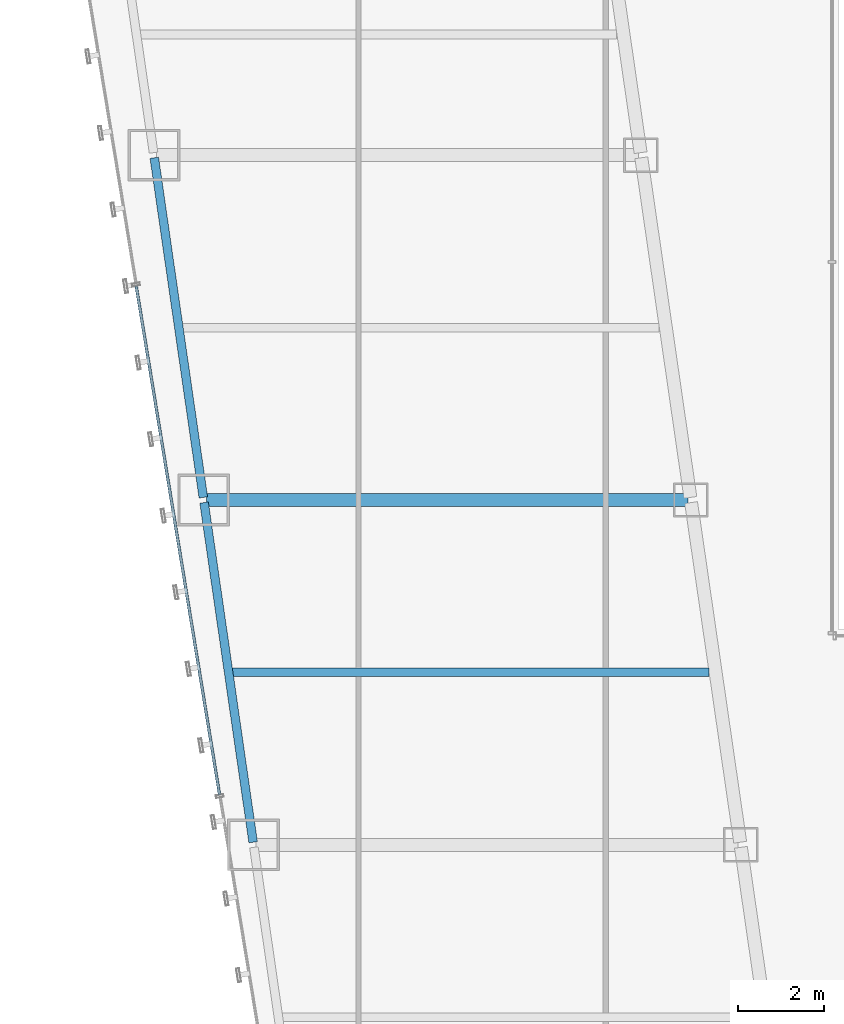
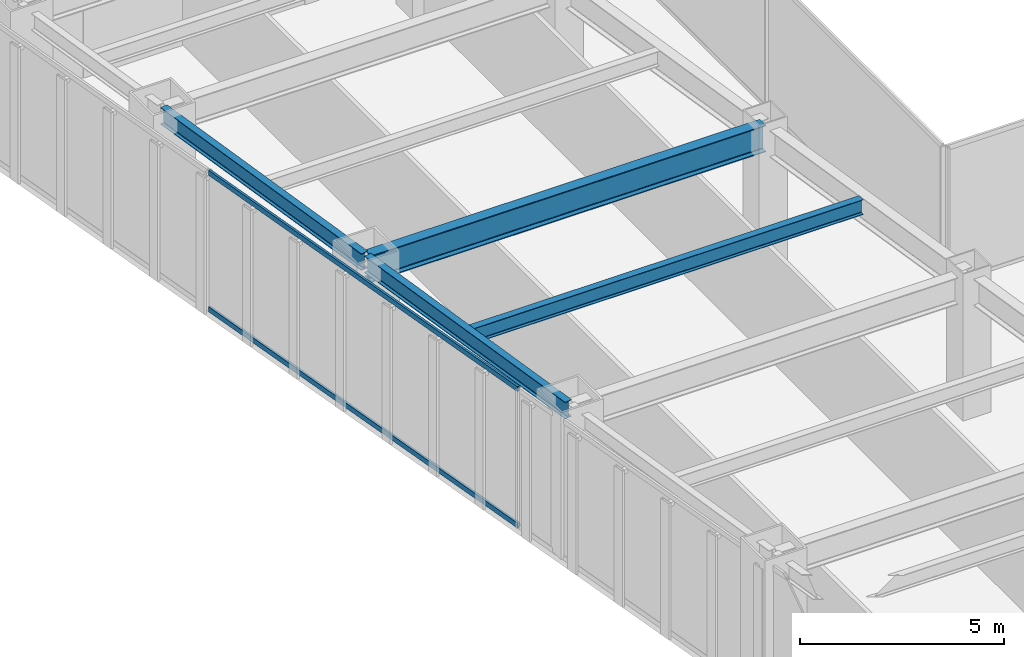
# One storey, part 10 of 47: 4 beams, 2 members, 1 element without a shape of its own.
"""IFC4 building model written with IfcOpenShell, lengths in metres."""

from ifc_helpers import new_model, si_unit, direction, frame, origin, origin_2d, place, context, subcontext, project, spatial, hollow_rectangle, i_section, extrude, material, material_profile, profile_set, type_object, element, aggregate, save


model = new_model("IFC4")

# Units and contexts
model_context = context("Model", 3, precision=1e-05, world=origin(), true_north=direction((0.0, 1.0)))
body_context = subcontext(model_context, "Body", "Model", "MODEL_VIEW")
ifc_project = project(units=[si_unit("LENGTHUNIT", "METRE"), si_unit("AREAUNIT", "SQUARE_METRE"), si_unit("VOLUMEUNIT", "CUBIC_METRE"), si_unit("PLANEANGLEUNIT", "RADIAN"), si_unit("MASSUNIT", "GRAM", prefix="KILO")], contexts=[model_context])

# Site, building, storey
site_placement = place(None, origin())
site = spatial("IfcSite", under=ifc_project, at=site_placement, CompositionType="ELEMENT")
building_placement = place(site_placement, origin())
building = spatial("IfcBuilding", under=site, at=building_placement, Name="Saevonmaru Cultural Tower", CompositionType="ELEMENT")
storey_placement = place(building_placement, frame((0.0, 0.0, 47.199951171875)))
storey = spatial("IfcBuildingStorey", under=building, at=storey_placement, Name="L09", CompositionType="ELEMENT", Elevation=47.199951171875)

# Beams
ifc_material_1 = material(Name="Steel SM420", Category="steel")
ifc_material_profile_1 = material_profile(ifc_material_1, i_section(OverallWidth=0.300048828125, OverallDepth=0.800048828125, WebThickness=0.013916015625, FlangeThickness=0.02587890625, FilletRadius=0.028076171875, at=origin_2d()), Name="H-800x300x14x26")
ifc_profile_set_1 = profile_set([ifc_material_profile_1], Name="Steel SM420")
beam_type_1 = type_object("IfcBeamType", Name="BM-G-H800", PredefinedType="BEAM", material=ifc_profile_set_1)
beam_1_placement = place(storey_placement, frame((9.531982421875, 24.0, 3.75), z_axis=(1.0, 0.0, 0.0), x_axis=(0.0, 1.0, 0.0)))
element("IfcBeam", 1, at=beam_1_placement, inside=storey, type_object=beam_type_1, Name="L09 West Wing Transverse Girder 4", PredefinedType="BEAM", context=body_context, shape_type="SweptSolid", body=[
    extrude(i_section(OverallWidth=0.300048828125, OverallDepth=0.800048828125, WebThickness=0.013916015625, FlangeThickness=0.02587890625, FilletRadius=0.028076171875, at=origin_2d()), origin(), (0.0, 0.0, 1.0), 11.179931640625),
])
ifc_material_2 = material(Name="Steel SM355", Category="steel")
ifc_material_profile_2 = material_profile(ifc_material_2, i_section(OverallWidth=0.199951171875, OverallDepth=0.449951171875, WebThickness=0.009033203125, FlangeThickness=0.013916015625, FilletRadius=0.01806640625, at=origin_2d()), Name="H-450x200x9x14")
ifc_profile_set_2 = profile_set([ifc_material_profile_2], Name="Steel SM355")
beam_type_2 = type_object("IfcBeamType", Name="BM-J-H450", PredefinedType="JOIST", material=ifc_profile_set_2)
beam_2_placement = place(storey_placement, frame((10.110107421875, 20.0, 3.925048828125), z_axis=(1.0, 0.0, 0.0), x_axis=(0.0, 1.0, 0.0)))
element("IfcBeam", 2, at=beam_2_placement, inside=storey, type_object=beam_type_2, Name="L09 West Wing Floor Joist 3", PredefinedType="JOIST", context=body_context, shape_type="SweptSolid", body=[
    extrude(i_section(OverallWidth=0.199951171875, OverallDepth=0.449951171875, WebThickness=0.009033203125, FlangeThickness=0.013916015625, FilletRadius=0.01806640625, at=origin_2d()), origin(), (0.0, 0.0, 1.0), 11.081787109375),
])
ifc_material_profile_3 = material_profile(ifc_material_2, i_section(OverallWidth=0.199951171875, OverallDepth=0.5, WebThickness=0.010009765625, FlangeThickness=0.01611328125, FilletRadius=0.02001953125, at=origin_2d()), Name="H-500x200x10x16")
ifc_profile_set_3 = profile_set([ifc_material_profile_3], Name="Steel SM355")
beam_type_3 = type_object("IfcBeamType", Name="BM-SP-H500", PredefinedType="SPANDREL", material=ifc_profile_set_3)
for number, where, z_axis, x_axis, name in (
    (3, (10.619384765625, 16.059326171875, 3.900146484375), (-0.142992129437, 0.989723825579, 0.0), (-0.989723825579, -0.142992129437, 0.0), "L09 West Splayed Spandrel 3"),
    (4, (9.46337890625, 24.059326171875, 3.900146484375), (-0.142871999001, 0.989741174197, 0.0), (-0.989741174197, -0.142871999001, 0.0), "L09 West Splayed Spandrel 4"),
):
    element("IfcBeam", number, at=place(storey_placement, frame(where, z_axis=z_axis, x_axis=x_axis)), inside=storey, type_object=beam_type_3, Name=name, PredefinedType="SPANDREL", context=body_context, shape_type="SweptSolid", body=[
        extrude(i_section(OverallWidth=0.199951171875, OverallDepth=0.5, WebThickness=0.010009765625, FlangeThickness=0.01611328125, FilletRadius=0.02001953125, at=origin_2d()), origin(), (0.0, 0.0, 1.0), 7.963134765625),
    ])

# Curtain wall, members
ifc_material_3 = material(Name="Satin Bronze Anodised Aluminium", Category="aluminium")
curtain_wall_type = type_object("IfcCurtainWallType", Name="CW-TYP-A", PredefinedType="NOTDEFINED", material=ifc_material_3)
curtain_wall_placement = place(storey_placement, origin())
curtain_wall = element("IfcCurtainWall", 5, at=curtain_wall_placement, inside=storey, type_object=curtain_wall_type, Name="L09 Unitised Curtain Wall E12", PredefinedType="NOTDEFINED")
ifc_material_profile_4 = material_profile(ifc_material_3, hollow_rectangle(XDim=0.06494140625, YDim=0.14990234375, WallThickness=0.00390625, at=origin_2d()), Name="ALU-TRAN-150x65x4")
ifc_profile_set_4 = profile_set([ifc_material_profile_4], Name="Satin Bronze Anodised Aluminium")
member_type = type_object("IfcMemberType", Name="TR-CW-150x65", PredefinedType="USERDEFINED", material=ifc_profile_set_4)
member_1_placement = place(storey_placement, frame((7.9052734375, 28.968017578125, 0.032470703125), z_axis=(0.161701400727, -0.986839732177, 0.0), x_axis=(0.986839732177, 0.161701400727, 0.0)))
member_1 = element("IfcMember", 6, at=member_1_placement, type_object=member_type, Name="CW-TW-L09-E12 transom 3.1", ObjectType="TRANSOM", PredefinedType="USERDEFINED", context=body_context, shape_type="SweptSolid", body=[
    extrude(hollow_rectangle(XDim=0.06494140625, YDim=0.14990234375, WallThickness=0.00390625, at=origin_2d()), origin(), (0.0, 0.0, 1.0), 11.9638671875),
])
member_2_placement = place(storey_placement, frame((7.9052734375, 28.968017578125, 4.117431640625), z_axis=(0.161701400727, -0.986839732177, 0.0), x_axis=(0.986839732177, 0.161701400727, 0.0)))
member_2 = element("IfcMember", 7, at=member_2_placement, type_object=member_type, Name="CW-TW-L09-E12 transom 3.2", ObjectType="TRANSOM", PredefinedType="USERDEFINED", context=body_context, shape_type="SweptSolid", body=[
    extrude(hollow_rectangle(XDim=0.06494140625, YDim=0.14990234375, WallThickness=0.00390625, at=origin_2d()), origin(), (0.0, 0.0, 1.0), 11.9638671875),
])
aggregate(curtain_wall, [member_1, member_2])

save(model, "model.ifc")
